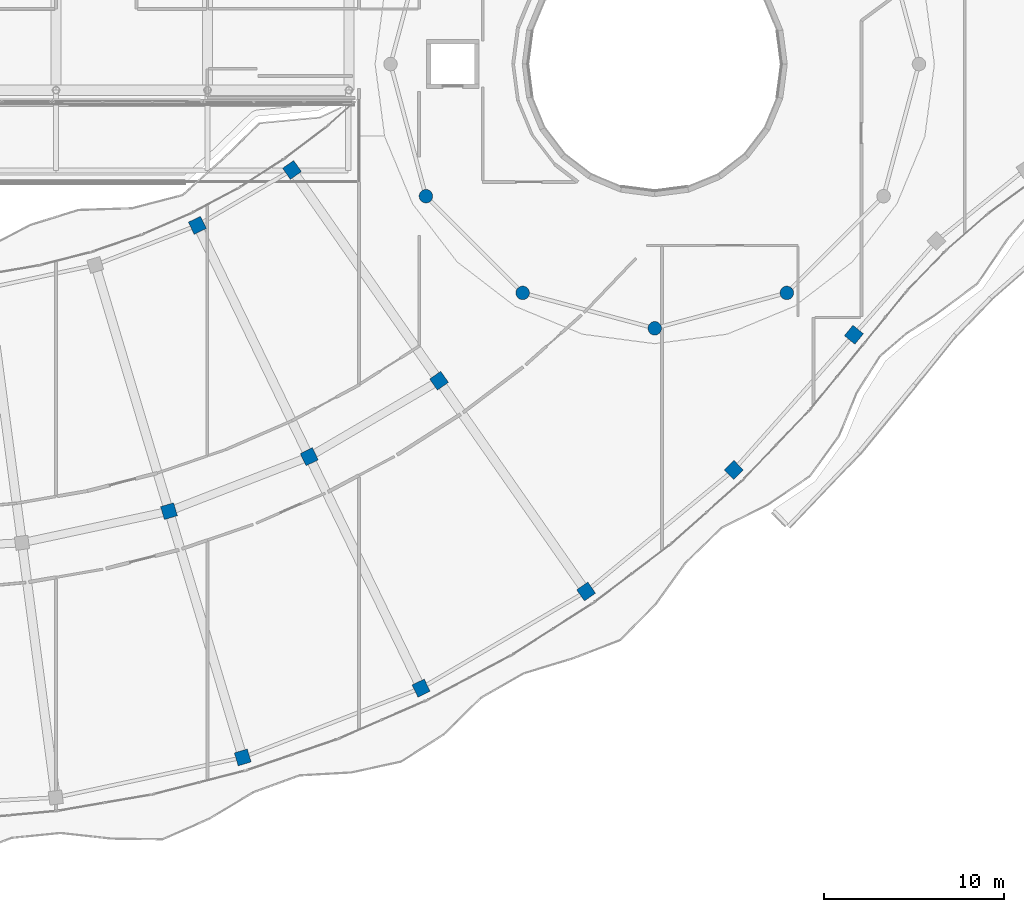
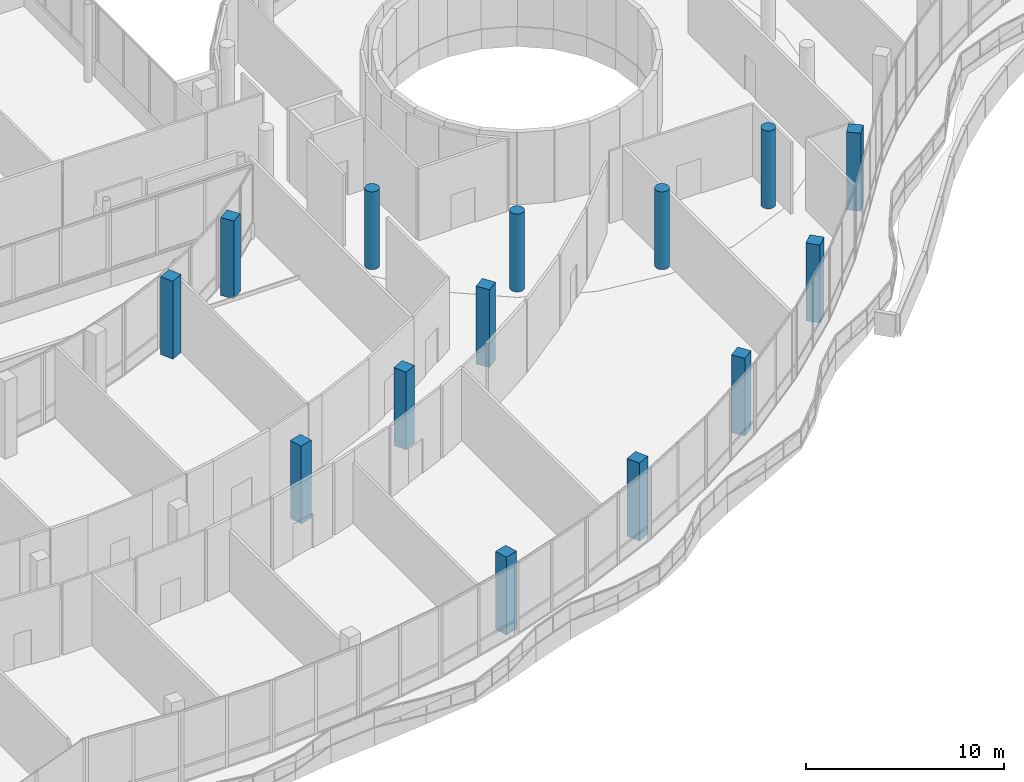
# One storey, part 4 of 168: 14 columns.
"""IFC4 building model written with IfcOpenShell, lengths in metres."""

from ifc_helpers import new_model, si_unit, direction, frame, origin, origin_2d, place, context, subcontext, project, spatial, rectangle, circle, extrude, material, material_profile, profile_set, type_object, element, save


model = new_model("IFC4")

# Units and contexts
model_context = context("Model", 3, precision=1e-05, world=origin(), true_north=direction((0.0, 1.0)))
body_context = subcontext(model_context, "Body", "Model", "MODEL_VIEW")
ifc_project = project(units=[si_unit("LENGTHUNIT", "METRE"), si_unit("AREAUNIT", "SQUARE_METRE"), si_unit("VOLUMEUNIT", "CUBIC_METRE"), si_unit("PLANEANGLEUNIT", "RADIAN"), si_unit("MASSUNIT", "GRAM", prefix="KILO")], contexts=[model_context])

# Site, building, storey
site_placement = place(None, origin())
site = spatial("IfcSite", under=ifc_project, at=site_placement, CompositionType="ELEMENT")
building_placement = place(site_placement, origin())
building = spatial("IfcBuilding", under=site, at=building_placement, Name="Selatvlak General Hospital", CompositionType="ELEMENT")
storey_placement = place(building_placement, frame((0.0, 0.0, 5.39990234375)))
storey = spatial("IfcBuildingStorey", under=building, at=storey_placement, Name="L01", CompositionType="ELEMENT", Elevation=5.39990234375)

# Columns
ifc_material = material(Name="Concrete C50/60", Category="concrete")
ifc_material_profile_1 = material_profile(ifc_material, rectangle(XDim=0.75, YDim=0.75, at=origin_2d()), Name="RC-COL 750x750")
ifc_profile_set_1 = profile_set([ifc_material_profile_1], Name="Concrete C50/60")
column_type_1 = type_object("IfcColumnType", Name="COL-RC75", PredefinedType="COLUMN", material=ifc_profile_set_1)
for number, where, z_axis, x_axis, name in (
    (1, (71.06689453125, 29.208984375, 0.0), (0.0, 0.0, 1.0), (-0.286858965796, 0.957972825159, 0.0), "Column 329 on L01"),
    (2, (75.155029296875, 15.556884765625, 0.0), (0.0, 0.0, 1.0), (-0.286858965796, 0.957972825159, 0.0), "Column 330 on L01"),
    (3, (72.639892578125, 45.06005859375, 0.0), (0.0, 0.0, 1.0), (-0.435199672053, 0.900333963285, 0.0), "Column 331 on L01"),
    (4, (78.842041015625, 32.22998046875, 0.0), (0.0, 0.0, 1.0), (-0.435199672053, 0.900333963285, 0.0), "Column 332 on L01"),
    (5, (85.0439453125, 19.39990234375, 0.0), (0.0, 0.0, 1.0), (-0.435199672053, 0.900333963285, 0.0), "Column 333 on L01"),
    (6, (77.886962890625, 48.131103515625, 0.0), (0.0, 0.0, 1.0), (-0.572188815713, 0.820121917262, 0.0), "Column 334 on L01"),
    (7, (86.041015625, 36.444091796875, 0.0), (0.0, 0.0, 1.0), (-0.572188815713, 0.820121917262, 0.0), "Column 335 on L01"),
    (8, (94.195068359375, 24.757080078125, 0.0), (0.0, 0.0, 1.0), (-0.572188815713, 0.820121917262, 0.0), "Column 336 on L01"),
    (9, (102.383056640625, 31.4970703125, 0.0), (0.0, 0.0, 1.0), (-0.694834117591, 0.719170041806, 0.0), "Column 337 on L01"),
    (10, (109.04296875, 38.992919921875, 0.0), (0.0, 0.0, 1.0), (-0.774922426247, 0.632056352945, 0.0), "Column 338 on L01"),
):
    element("IfcColumn", number, at=place(storey_placement, frame(where, z_axis=z_axis, x_axis=x_axis)), inside=storey, type_object=column_type_1, Name=name, PredefinedType="COLUMN", context=body_context, shape_type="SweptSolid", body=[
        extrude(rectangle(XDim=0.75, YDim=0.75, at=origin_2d()), origin(), (0.0, 0.0, 1.0), 4.800048828125),
    ])
ifc_material_profile_2 = material_profile(ifc_material, circle(Radius=0.375, at=origin_2d()), Name="RC-COL D750")
ifc_profile_set_2 = profile_set([ifc_material_profile_2], Name="Concrete C50/60")
column_type_2 = type_object("IfcColumnType", Name="COL-RCD75", PredefinedType="COLUMN", material=ifc_profile_set_2)
for number, where, z_axis, x_axis, name in (
    (11, (85.31298828125, 46.675048828125, 0.0), (0.0, 0.0, 1.0), (-0.866025403784, -0.5, 0.0), "Column 032 on L01"),
    (12, (90.675048828125, 41.31298828125, 0.0), (0.0, 0.0, 1.0), (-0.5, -0.866025403784, 0.0), "Column 033 on L01"),
    (13, (98.0, 39.35009765625, 0.0), (0.0, 0.0, 1.0), (0.0, -1.0, 0.0), "Column 034 on L01"),
    (14, (105.324951171875, 41.31298828125, 0.0), (0.0, 0.0, 1.0), (0.5, -0.866025403784, 0.0), "Column 035 on L01"),
):
    element("IfcColumn", number, at=place(storey_placement, frame(where, z_axis=z_axis, x_axis=x_axis)), inside=storey, type_object=column_type_2, Name=name, PredefinedType="COLUMN", context=body_context, shape_type="SweptSolid", body=[
        extrude(circle(Radius=0.375, at=origin_2d()), origin(), (0.0, 0.0, 1.0), 4.800048828125),
    ])

save(model, "model.ifc")
